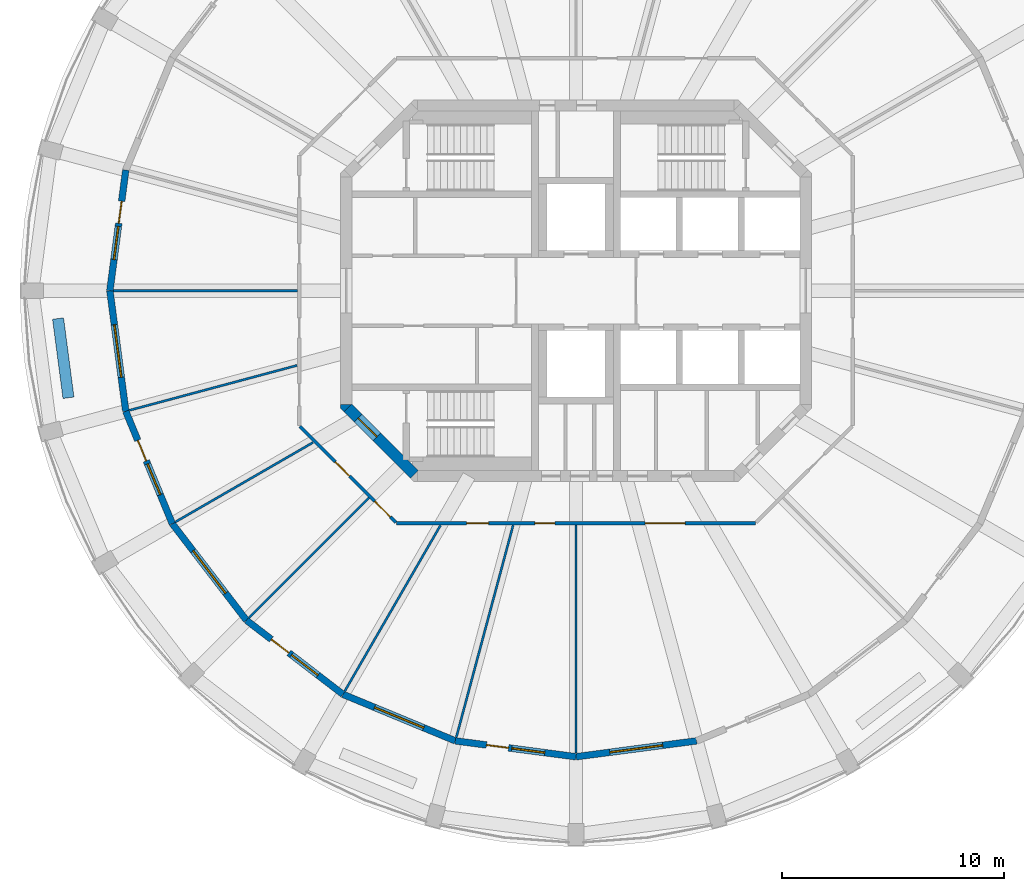
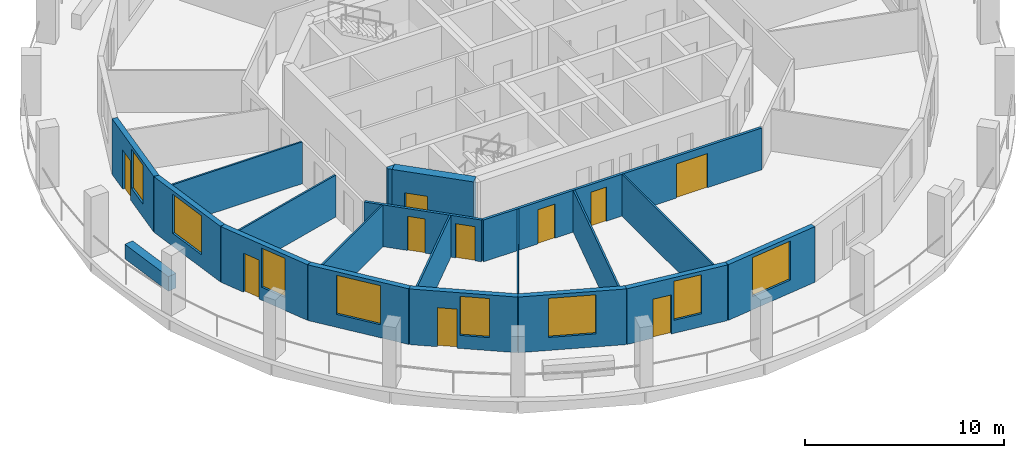
# One storey, part 2 of 9: 20 walls, 10 doors, 8 windows, 18 openings.
"""IFC4 building model written with IfcOpenShell, lengths in metres."""

from ifc_helpers import new_model, si_unit, direction, frame, frame_2d, origin, place, context, subcontext, project, spatial, polyline, rectangle, outline, extrude, material, layer, layer_set, type_object, element, fill, save


model = new_model("IFC4")

# Units and contexts
model_context = context("Model", 3, precision=1e-05, world=origin(), true_north=direction((0.0, 1.0)))
body_context = subcontext(model_context, "Body", "Model", "MODEL_VIEW")
ifc_project = project(units=[si_unit("LENGTHUNIT", "METRE"), si_unit("AREAUNIT", "SQUARE_METRE"), si_unit("VOLUMEUNIT", "CUBIC_METRE"), si_unit("PLANEANGLEUNIT", "RADIAN"), si_unit("MASSUNIT", "GRAM", prefix="KILO")], contexts=[model_context])

# Site, building, storey
site_placement = place(None, origin())
site = spatial("IfcSite", under=ifc_project, at=site_placement, CompositionType="ELEMENT")
building_placement = place(site_placement, origin())
building = spatial("IfcBuilding", under=site, at=building_placement, Name="Torre Triforio", CompositionType="ELEMENT")
storey_placement = place(building_placement, frame((0.0, 0.0, 264.89990234375)))
storey = spatial("IfcBuildingStorey", under=building, at=storey_placement, Name="L61", CompositionType="ELEMENT", Elevation=264.89990234375)

# Wall, opening, door
ifc_material_1 = material(Name="Concrete C40", Category="concrete")
ifc_layer_1 = layer(ifc_material_1, 0.5)
ifc_layer_set_1 = layer_set([ifc_layer_1], Name="Concrete C40")
wall_type_1 = type_object("IfcWallType", Name="Core wall 500 mm C40 EI 120", PredefinedType="SHEAR", material=ifc_layer_set_1)
wall_1_placement = place(storey_placement, frame((-7.27685546875, -8.27685546875, -0.27978515625), z_axis=(0.0, 0.0, 1.0), x_axis=(-0.707106781187, 0.707106781187, 0.0)))
wall_1 = element("IfcWall", 1, at=wall_1_placement, inside=storey, type_object=wall_type_1, Name="Core wall", PredefinedType="SHEAR", context=body_context, shape_type="SweptSolid", body=[
    extrude(rectangle(XDim=4.24267578125, YDim=0.5, at=frame_2d((2.121337890625, 0.0))), origin(), (0.0, 0.0, 1.0), 3.699951171875),
])
opening_1_placement = place(wall_1_placement, frame((2.392578125, 0.0, 0.280029296875)))
opening_1 = element("IfcOpeningElement", 2, at=opening_1_placement, cuts=wall_1, Name="Opening ST3-EXIT", PredefinedType="OPENING", context=body_context, shape_type="SweptSolid", body=[
    extrude(rectangle(XDim=1.199951171875, YDim=2.10009765625, at=frame_2d((0.60009765625, 1.050048828125))), frame((0.0, 0.260009765625, 0.0), z_axis=(0.0, -1.0, 0.0), x_axis=(1.0, 0.0, 0.0)), (0.0, 0.0, 1.0), 0.52001953125),
])
ifc_material_2 = material(Name="Hollow metal fire door leaf")
door_type_1 = type_object("IfcDoorType", Name="Stair lobby door 1200 x 2100 EI 60", OperationType="NOTDEFINED", PredefinedType="DOOR", material=ifc_material_2)
door_1_placement = place(opening_1_placement, origin())
door_1 = element("IfcDoor", 3, at=door_1_placement, inside=storey, type_object=door_type_1, Name="Core door ST3-EXIT", OperationType="SINGLE_SWING_RIGHT", OverallHeight=2.10009765625, OverallWidth=1.199951171875, PredefinedType="DOOR", context=body_context, shape_type="SweptSolid", body=[
    extrude(rectangle(XDim=1.199951171875, YDim=2.10009765625, at=frame_2d((0.60009765625, 1.050048828125))), frame((0.0, 0.02490234375, 0.0), z_axis=(0.0, -1.0, 0.0), x_axis=(1.0, 0.0, 0.0)), (0.0, 0.0, 1.0), 0.050048828125),
])
fill(opening_1, door_1)

# Wall
wall_2_placement = place(storey_placement, frame((0.0, 0.0, -0.27978515625)))
element("IfcWall", 4, at=wall_2_placement, inside=storey, type_object=wall_type_1, Name="Core wall", PredefinedType="SHEAR", context=body_context, shape_type="SweptSolid", body=[
    extrude(outline(polyline([(-10.60009765625, -5.30712890625), (-10.60009765625, -5.1298828125), (-10.1298828125, -5.1298828125), (-10.45361328125, -5.45361328125), (-10.60009765625, -5.30712890625)])), origin(), (0.0, 0.0, 1.0), 3.699951171875),
])

# Wall, openings, doors
ifc_material_3 = material(Name="Plasterboard on metal studs")
ifc_layer_2 = layer(ifc_material_3, 0.14990234375)
ifc_layer_set_2 = layer_set([ifc_layer_2], Name="Plasterboard on metal studs")
wall_type_2 = type_object("IfcWallType", Name="Corridor and tenancy wall 150 mm EI 60", PredefinedType="PARTITIONING", material=ifc_layer_set_2)
wall_3_placement = place(storey_placement, frame((8.083740234375, -10.47509765625, 0.0), z_axis=(0.0, 0.0, 1.0), x_axis=(-1.0, 0.0, 0.0)))
wall_3 = element("IfcWall", 5, at=wall_3_placement, inside=storey, type_object=wall_type_2, Name="Partition 2", PredefinedType="PARTITIONING", context=body_context, shape_type="SweptSolid", body=[
    extrude(rectangle(XDim=16.16748046875, YDim=0.14990234375, at=frame_2d((8.083740234375, 0.0))), origin(), (0.0, 0.0, 1.0), 2.570068359375),
])
opening_2_placement = place(wall_3_placement, frame((12.014892578125, 0.0, 0.0)))
opening_2 = element("IfcOpeningElement", 6, at=opening_2_placement, cuts=wall_3, Name="Opening E2-02", PredefinedType="OPENING", context=body_context, shape_type="SweptSolid", body=[
    extrude(rectangle(XDim=1.0, YDim=2.10009765625, at=frame_2d((0.5, 1.050048828125))), frame((0.0, 0.0849609375, 0.0), z_axis=(0.0, -1.0, 0.0), x_axis=(1.0, 0.0, 0.0)), (0.0, 0.0, 1.0), 0.169921875),
])
opening_3_placement = place(wall_3_placement, frame((9.0380859375, 0.0, 0.0)))
opening_3 = element("IfcOpeningElement", 7, at=opening_3_placement, cuts=wall_3, Name="Opening E2-03", PredefinedType="OPENING", context=body_context, shape_type="SweptSolid", body=[
    extrude(rectangle(XDim=0.89990234375, YDim=2.10009765625, at=frame_2d((0.449951171875, 1.050048828125))), frame((0.0, 0.0849609375, 0.0), z_axis=(0.0, -1.0, 0.0), x_axis=(1.0, 0.0, 0.0)), (0.0, 0.0, 1.0), 0.169921875),
])
opening_4_placement = place(wall_3_placement, frame((3.1669921875, 0.0, 0.0)))
opening_4 = element("IfcOpeningElement", 8, at=opening_4_placement, cuts=wall_3, Name="Opening E2-04", PredefinedType="OPENING", context=body_context, shape_type="SweptSolid", body=[
    extrude(rectangle(XDim=1.800048828125, YDim=2.10009765625, at=frame_2d((0.89990234375, 1.050048828125))), frame((0.0, 0.0849609375, 0.0), z_axis=(0.0, -1.0, 0.0), x_axis=(1.0, 0.0, 0.0)), (0.0, 0.0, 1.0), 0.169921875),
])
ifc_material_4 = material(Name="Timber", Category="wood")
door_type_2 = type_object("IfcDoorType", Name="Door 1000 x 2100 single leaf EI 30", OperationType="NOTDEFINED", PredefinedType="DOOR", material=ifc_material_4)
door_2_placement = place(opening_2_placement, origin())
door_2 = element("IfcDoor", 9, at=door_2_placement, inside=storey, type_object=door_type_2, Name="Door E2-02", OperationType="SINGLE_SWING_LEFT", OverallHeight=2.10009765625, OverallWidth=1.0, PredefinedType="DOOR", context=body_context, shape_type="SweptSolid", body=[
    extrude(rectangle(XDim=1.0, YDim=2.10009765625, at=frame_2d((0.5, 1.050048828125))), frame((0.0, 0.02490234375, 0.0), z_axis=(0.0, -1.0, 0.0), x_axis=(1.0, 0.0, 0.0)), (0.0, 0.0, 1.0), 0.050048828125),
])
fill(opening_2, door_2)
door_type_3 = type_object("IfcDoorType", Name="Door 1800 x 2100 double leaf EI 30", OperationType="DOUBLE_DOOR_SINGLE_SWING", PredefinedType="DOOR", material=ifc_material_4)
door_3_placement = place(opening_4_placement, origin())
door_3 = element("IfcDoor", 10, at=door_3_placement, inside=storey, type_object=door_type_3, Name="Door E2-04", OperationType="DOUBLE_DOOR_SINGLE_SWING", OverallHeight=2.10009765625, OverallWidth=1.800048828125, PredefinedType="DOOR", context=body_context, shape_type="SweptSolid", body=[
    extrude(rectangle(XDim=1.800048828125, YDim=2.10009765625, at=frame_2d((0.89990234375, 1.050048828125))), frame((0.0, 0.02490234375, 0.0), z_axis=(0.0, -1.0, 0.0), x_axis=(1.0, 0.0, 0.0)), (0.0, 0.0, 1.0), 0.050048828125),
])
fill(opening_4, door_3)
door_type_4 = type_object("IfcDoorType", Name="Door 900 x 2100 single leaf EI 30", OperationType="NOTDEFINED", PredefinedType="DOOR", material=ifc_material_4)
door_4_placement = place(opening_3_placement, origin())
door_4 = element("IfcDoor", 11, at=door_4_placement, inside=storey, type_object=door_type_4, Name="Door E2-03", OperationType="SINGLE_SWING_LEFT", OverallHeight=2.10009765625, OverallWidth=0.89990234375, PredefinedType="DOOR", context=body_context, shape_type="SweptSolid", body=[
    extrude(rectangle(XDim=0.89990234375, YDim=2.10009765625, at=frame_2d((0.449951171875, 1.050048828125))), frame((0.0, 0.02490234375, 0.0), z_axis=(0.0, -1.0, 0.0), x_axis=(1.0, 0.0, 0.0)), (0.0, 0.0, 1.0), 0.050048828125),
])
fill(opening_3, door_4)

wall_4_placement = place(storey_placement, frame((-8.120849609375, -10.43798828125, 0.0), z_axis=(0.0, 0.0, 1.0), x_axis=(-0.707106781187, 0.707106781187, 0.0)))
wall_4 = element("IfcWall", 12, at=wall_4_placement, inside=storey, type_object=wall_type_2, Name="Partition 3", PredefinedType="PARTITIONING", context=body_context, shape_type="SweptSolid", body=[
    extrude(rectangle(XDim=6.10546875, YDim=0.14990234375, at=frame_2d((3.052734375, 0.0))), origin(), (0.0, 0.0, 1.0), 2.570068359375),
])
opening_5_placement = place(wall_4_placement, frame((0.34423828125, 0.0, 0.0)))
opening_5 = element("IfcOpeningElement", 13, at=opening_5_placement, cuts=wall_4, Name="Opening E2-01", PredefinedType="OPENING", context=body_context, shape_type="SweptSolid", body=[
    extrude(rectangle(XDim=1.0, YDim=2.10009765625, at=frame_2d((0.5, 1.050048828125))), frame((0.0, 0.0849609375, 0.0), z_axis=(0.0, -1.0, 0.0), x_axis=(1.0, 0.0, 0.0)), (0.0, 0.0, 1.0), 0.169921875),
])
opening_6_placement = place(wall_4_placement, frame((2.947509765625, 0.0, 0.0)))
opening_6 = element("IfcOpeningElement", 14, at=opening_6_placement, cuts=wall_4, Name="Opening E2-17", PredefinedType="OPENING", context=body_context, shape_type="SweptSolid", body=[
    extrude(rectangle(XDim=0.89990234375, YDim=2.10009765625, at=frame_2d((0.449951171875, 1.050048828125))), frame((0.0, 0.0849609375, 0.0), z_axis=(0.0, -1.0, 0.0), x_axis=(1.0, 0.0, 0.0)), (0.0, 0.0, 1.0), 0.169921875),
])
door_5_placement = place(opening_5_placement, origin())
door_5 = element("IfcDoor", 15, at=door_5_placement, inside=storey, type_object=door_type_2, Name="Door E2-01", OperationType="SINGLE_SWING_LEFT", OverallHeight=2.10009765625, OverallWidth=1.0, PredefinedType="DOOR", context=body_context, shape_type="SweptSolid", body=[
    extrude(rectangle(XDim=1.0, YDim=2.10009765625, at=frame_2d((0.5, 1.050048828125))), frame((0.0, 0.02490234375, 0.0), z_axis=(0.0, -1.0, 0.0), x_axis=(1.0, 0.0, 0.0)), (0.0, 0.0, 1.0), 0.050048828125),
])
fill(opening_5, door_5)
door_6_placement = place(opening_6_placement, origin())
door_6 = element("IfcDoor", 16, at=door_6_placement, inside=storey, type_object=door_type_4, Name="Door E2-17", OperationType="SINGLE_SWING_LEFT", OverallHeight=2.10009765625, OverallWidth=0.89990234375, PredefinedType="DOOR", context=body_context, shape_type="SweptSolid", body=[
    extrude(rectangle(XDim=0.89990234375, YDim=2.10009765625, at=frame_2d((0.449951171875, 1.050048828125))), frame((0.0, 0.02490234375, 0.0), z_axis=(0.0, -1.0, 0.0), x_axis=(1.0, 0.0, 0.0)), (0.0, 0.0, 1.0), 0.050048828125),
])
fill(opening_6, door_6)

# Walls
ifc_layer_3 = layer(ifc_material_3, 0.10009765625)
ifc_layer_set_3 = layer_set([ifc_layer_3], Name="Plasterboard on metal studs")
wall_type_3 = type_object("IfcWallType", Name="Partition 100 mm board on metal studs", PredefinedType="PARTITIONING", material=ifc_layer_set_3)
wall_5_placement = place(storey_placement, frame((-12.550048828125, 0.0, 0.0), z_axis=(0.0, 0.0, 1.0), x_axis=(-1.0, 0.0, 0.0)))
element("IfcWall", 17, at=wall_5_placement, inside=storey, type_object=wall_type_3, Name="Partition 17", PredefinedType="PARTITIONING", context=body_context, shape_type="SweptSolid", body=[
    extrude(rectangle(XDim=8.28662109375, YDim=0.10009765625, at=frame_2d((4.143310546875, 0.0))), origin(), (0.0, 0.0, 1.0), 2.570068359375),
])
wall_6_placement = place(storey_placement, frame((-12.564208984375, -3.36669921875, 0.0), z_axis=(0.0, 0.0, 1.0), x_axis=(-0.965933576344, -0.258790119773, 0.0)))
element("IfcWall", 18, at=wall_6_placement, inside=storey, type_object=wall_type_3, Name="Partition 18", PredefinedType="PARTITIONING", context=body_context, shape_type="SweptSolid", body=[
    extrude(rectangle(XDim=7.8291015625, YDim=0.10009765625, at=frame_2d((3.91455078125, 0.0))), origin(), (0.0, 0.0, 1.0), 2.570068359375),
])
wall_7_placement = place(storey_placement, frame((-11.845947265625, -6.839111328125, 0.0), z_axis=(0.0, 0.0, 1.0), x_axis=(-0.866011787705, -0.500023583, 0.0)))
element("IfcWall", 19, at=wall_7_placement, inside=storey, type_object=wall_type_3, Name="Partition 19", PredefinedType="PARTITIONING", context=body_context, shape_type="SweptSolid", body=[
    extrude(rectangle(XDim=7.158447265625, YDim=0.10009765625, at=frame_2d((3.5791015625, 0.0))), origin(), (0.0, 0.0, 1.0), 2.570068359375),
])
wall_8_placement = place(storey_placement, frame((-9.33251953125, -9.33251953125, 0.0), z_axis=(0.0, 0.0, 1.0), x_axis=(-0.707106781187, -0.707106781187, 0.0)))
element("IfcWall", 20, at=wall_8_placement, inside=storey, type_object=wall_type_3, Name="Partition 20", PredefinedType="PARTITIONING", context=body_context, shape_type="SweptSolid", body=[
    extrude(rectangle(XDim=7.638671875, YDim=0.10009765625, at=frame_2d((3.8193359375, 0.0))), origin(), (0.0, 0.0, 1.0), 2.570068359375),
])
wall_9_placement = place(storey_placement, frame((-6.105224609375, -10.57470703125, 0.0), z_axis=(0.0, 0.0, 1.0), x_axis=(-0.50001399067, -0.866017326117, 0.0)))
element("IfcWall", 21, at=wall_9_placement, inside=storey, type_object=wall_type_3, Name="Partition 21", PredefinedType="PARTITIONING", context=body_context, shape_type="SweptSolid", body=[
    extrude(rectangle(XDim=8.626220703125, YDim=0.10009765625, at=frame_2d((4.31298828125, 0.0))), origin(), (0.0, 0.0, 1.0), 2.570068359375),
])
wall_10_placement = place(storey_placement, frame((-2.830810546875, -10.564208984375, 0.0), z_axis=(0.0, 0.0, 1.0), x_axis=(-0.258795254151, -0.965932200741, 0.0)))
element("IfcWall", 22, at=wall_10_placement, inside=storey, type_object=wall_type_3, Name="Partition 22", PredefinedType="PARTITIONING", context=body_context, shape_type="SweptSolid", body=[
    extrude(rectangle(XDim=9.899658203125, YDim=0.10009765625, at=frame_2d((4.94970703125, 0.0))), origin(), (0.0, 0.0, 1.0), 2.570068359375),
])
wall_11_placement = place(storey_placement, frame((0.0, -10.550048828125, 0.0), z_axis=(0.0, 0.0, 1.0), x_axis=(0.0, -1.0, 0.0)))
element("IfcWall", 23, at=wall_11_placement, inside=storey, type_object=wall_type_3, Name="Partition 23", PredefinedType="PARTITIONING", context=body_context, shape_type="SweptSolid", body=[
    extrude(rectangle(XDim=10.28662109375, YDim=0.10009765625, at=frame_2d((5.143310546875, 0.0))), origin(), (0.0, 0.0, 1.0), 2.570068359375),
])
ifc_material_5 = material(Name="Limestone cladding", Category="masonry")
ifc_layer_4 = layer(ifc_material_5, 0.10009765625)
ifc_layer_5 = layer(ifc_material_1, 0.39990234375)
ifc_layer_set_4 = layer_set([ifc_layer_4, ifc_layer_5], Name="Limestone cladding / Concrete C40")
wall_type_4 = type_object("IfcWallType", Name="Planter wall 500", PredefinedType="PARAPET", material=ifc_layer_set_4)
wall_12_placement = place(storey_placement, frame((-23.335693359375, -1.256591796875, 0.0), z_axis=(0.0, 0.0, 1.0), x_axis=(0.130542222659, -0.991442750795, 0.0)))
element("IfcWall", 24, at=wall_12_placement, inside=storey, type_object=wall_type_4, Name="Planter L61 bay 13", PredefinedType="PARAPET", context=body_context, shape_type="SweptSolid", body=[
    extrude(rectangle(XDim=3.60009765625, YDim=0.5, at=frame_2d((1.800048828125, 0.0))), origin(), (0.0, 0.0, 1.0), 0.900146484375),
])

# Wall, openings, door, window
ifc_layer_6 = layer(ifc_material_5, 0.10009765625)
ifc_layer_7 = layer(ifc_material_1, 0.199951171875)
ifc_layer_set_5 = layer_set([ifc_layer_6, ifc_layer_7], Name="Limestone cladding / Concrete C40")
wall_type_5 = type_object("IfcWallType", Name="Stone-faced composite wall 300", PredefinedType="STANDARD", material=ifc_layer_set_5)
wall_13_placement = place(storey_placement, frame((-20.284423828125, 5.435302734375, 0.0), z_axis=(0.0, 0.0, 1.0), x_axis=(-0.130527087244, -0.991444743541, 0.0)))
wall_13 = element("IfcWall", 25, at=wall_13_placement, inside=storey, type_object=wall_type_5, Name="External wall L61 bay 12", PredefinedType="STANDARD", context=body_context, shape_type="SweptSolid", body=[
    extrude(rectangle(XDim=5.482177734375, YDim=0.300048828125, at=frame_2d((2.7412109375, 0.0))), origin(), (0.0, 0.0, 1.0), 3.420166015625),
])
opening_7_placement = place(wall_13_placement, frame((1.416015625, 0.0, 0.0)))
opening_7 = element("IfcOpeningElement", 26, at=opening_7_placement, cuts=wall_13, Name="Opening E2-D12", PredefinedType="OPENING", context=body_context, shape_type="SweptSolid", body=[
    extrude(rectangle(XDim=1.0, YDim=2.39990234375, at=frame_2d((0.5, 1.199951171875))), frame((0.0, 0.159912109375, 0.0), z_axis=(0.0, -1.0, 0.0), x_axis=(1.0, 0.0, 0.0)), (0.0, 0.0, 1.0), 0.320068359375),
])
opening_8_placement = place(wall_13_placement, frame((2.566162109375, 0.0, 0.800048828125)))
opening_8 = element("IfcOpeningElement", 27, at=opening_8_placement, cuts=wall_13, Name="Opening E2-W12A", PredefinedType="OPENING", context=body_context, shape_type="SweptSolid", body=[
    extrude(rectangle(XDim=1.5, YDim=2.39990234375, at=frame_2d((0.75, 1.199951171875))), frame((0.0, 0.159912109375, 0.0), z_axis=(0.0, -1.0, 0.0), x_axis=(1.0, 0.0, 0.0)), (0.0, 0.0, 1.0), 0.320068359375),
])
ifc_material_6 = material(Name="Aluminium frame with clear double glazing", Category="aluminium")
door_type_5 = type_object("IfcDoorType", Name="Loggia door 1000 x 2400", OperationType="NOTDEFINED", PredefinedType="DOOR", material=ifc_material_6)
door_7_placement = place(opening_7_placement, origin())
door_7 = element("IfcDoor", 28, at=door_7_placement, inside=storey, type_object=door_type_5, Name="Loggia door L61 bay 12", OperationType="SINGLE_SWING_LEFT", OverallHeight=2.39990234375, OverallWidth=1.0, PredefinedType="DOOR", context=body_context, shape_type="SweptSolid", body=[
    extrude(rectangle(XDim=1.0, YDim=2.39990234375, at=frame_2d((0.5, 1.199951171875))), frame((0.0, 0.02490234375, 0.0), z_axis=(0.0, -1.0, 0.0), x_axis=(1.0, 0.0, 0.0)), (0.0, 0.0, 1.0), 0.050048828125),
])
fill(opening_7, door_7)
window_type_1 = type_object("IfcWindowType", Name="Side window 1500 x 2400", PartitioningType="SINGLE_PANEL", PredefinedType="WINDOW", material=ifc_material_6)
window_1_placement = place(opening_8_placement, origin())
window_1 = element("IfcWindow", 29, at=window_1_placement, inside=storey, type_object=window_type_1, Name="Side window EWN14 L61 bay 12", OverallHeight=2.39990234375, OverallWidth=1.5, PartitioningType="SINGLE_PANEL", PredefinedType="WINDOW", context=body_context, shape_type="SweptSolid", body=[
    extrude(rectangle(XDim=1.5, YDim=2.39990234375, at=frame_2d((0.75, 1.199951171875))), frame((0.0, 0.030029296875, 0.0), z_axis=(0.0, -1.0, 0.0), x_axis=(1.0, 0.0, 0.0)), (0.0, 0.0, 1.0), 0.06005859375),
])
fill(opening_8, window_1)

# Wall, opening, window
wall_14_placement = place(storey_placement, frame((-21.0, 0.0, 0.0), z_axis=(0.0, 0.0, 1.0), x_axis=(0.130527087244, -0.991444743541, 0.0)))
wall_14 = element("IfcWall", 30, at=wall_14_placement, inside=storey, type_object=wall_type_5, Name="External wall L61 bay 13", PredefinedType="STANDARD", context=body_context, shape_type="SweptSolid", body=[
    extrude(rectangle(XDim=5.482177734375, YDim=0.300048828125, at=frame_2d((2.7412109375, 0.0))), origin(), (0.0, 0.0, 1.0), 3.420166015625),
])
opening_9_placement = place(wall_14_placement, frame((1.541015625, 0.0, 0.800048828125)))
opening_9 = element("IfcOpeningElement", 31, at=opening_9_placement, cuts=wall_14, Name="Opening E2-W13", PredefinedType="OPENING", context=body_context, shape_type="SweptSolid", body=[
    extrude(rectangle(XDim=2.39990234375, YDim=2.39990234375, at=frame_2d((1.199951171875, 1.199951171875))), frame((0.0, 0.159912109375, 0.0), z_axis=(0.0, -1.0, 0.0), x_axis=(1.0, 0.0, 0.0)), (0.0, 0.0, 1.0), 0.320068359375),
])
window_type_2 = type_object("IfcWindowType", Name="Punched window 2400 x 2400", PartitioningType="DOUBLE_PANEL_VERTICAL", PredefinedType="WINDOW", material=ifc_material_6)
window_2_placement = place(opening_9_placement, origin())
window_2 = element("IfcWindow", 32, at=window_2_placement, inside=storey, type_object=window_type_2, Name="Window EWN4 L61 bay 13", OverallHeight=2.39990234375, OverallWidth=2.39990234375, PartitioningType="SINGLE_PANEL", PredefinedType="WINDOW", context=body_context, shape_type="SweptSolid", body=[
    extrude(rectangle(XDim=2.39990234375, YDim=2.39990234375, at=frame_2d((1.199951171875, 1.199951171875))), frame((0.0, 0.030029296875, 0.0), z_axis=(0.0, -1.0, 0.0), x_axis=(1.0, 0.0, 0.0)), (0.0, 0.0, 1.0), 0.06005859375),
])
fill(opening_9, window_2)

# Wall, openings, door, window
wall_15_placement = place(storey_placement, frame((-20.284423828125, -5.435302734375, 0.0), z_axis=(0.0, 0.0, 1.0), x_axis=(0.382688740813, -0.923877333662, 0.0)))
wall_15 = element("IfcWall", 33, at=wall_15_placement, inside=storey, type_object=wall_type_5, Name="External wall L61 bay 14", PredefinedType="STANDARD", context=body_context, shape_type="SweptSolid", body=[
    extrude(rectangle(XDim=5.48193359375, YDim=0.300048828125, at=frame_2d((2.740966796875, 0.0))), origin(), (0.0, 0.0, 1.0), 3.420166015625),
])
opening_10_placement = place(wall_15_placement, frame((1.416015625, 0.0, 0.0)))
opening_10 = element("IfcOpeningElement", 34, at=opening_10_placement, cuts=wall_15, Name="Opening E2-D14", PredefinedType="OPENING", context=body_context, shape_type="SweptSolid", body=[
    extrude(rectangle(XDim=1.0, YDim=2.39990234375, at=frame_2d((0.5, 1.199951171875))), frame((0.0, 0.159912109375, 0.0), z_axis=(0.0, -1.0, 0.0), x_axis=(1.0, 0.0, 0.0)), (0.0, 0.0, 1.0), 0.320068359375),
])
opening_11_placement = place(wall_15_placement, frame((2.566162109375, 0.0, 0.800048828125)))
opening_11 = element("IfcOpeningElement", 35, at=opening_11_placement, cuts=wall_15, Name="Opening E2-W14A", PredefinedType="OPENING", context=body_context, shape_type="SweptSolid", body=[
    extrude(rectangle(XDim=1.5, YDim=2.39990234375, at=frame_2d((0.75, 1.199951171875))), frame((0.0, 0.159912109375, 0.0), z_axis=(0.0, -1.0, 0.0), x_axis=(1.0, 0.0, 0.0)), (0.0, 0.0, 1.0), 0.320068359375),
])
door_8_placement = place(opening_10_placement, origin())
door_8 = element("IfcDoor", 36, at=door_8_placement, inside=storey, type_object=door_type_5, Name="Loggia door L61 bay 14", OperationType="SINGLE_SWING_LEFT", OverallHeight=2.39990234375, OverallWidth=1.0, PredefinedType="DOOR", context=body_context, shape_type="SweptSolid", body=[
    extrude(rectangle(XDim=1.0, YDim=2.39990234375, at=frame_2d((0.5, 1.199951171875))), frame((0.0, 0.02490234375, 0.0), z_axis=(0.0, -1.0, 0.0), x_axis=(1.0, 0.0, 0.0)), (0.0, 0.0, 1.0), 0.050048828125),
])
fill(opening_10, door_8)
window_3_placement = place(opening_11_placement, origin())
window_3 = element("IfcWindow", 37, at=window_3_placement, inside=storey, type_object=window_type_1, Name="Side window EWN14 L61 bay 14", OverallHeight=2.39990234375, OverallWidth=1.5, PartitioningType="SINGLE_PANEL", PredefinedType="WINDOW", context=body_context, shape_type="SweptSolid", body=[
    extrude(rectangle(XDim=1.5, YDim=2.39990234375, at=frame_2d((0.75, 1.199951171875))), frame((0.0, 0.030029296875, 0.0), z_axis=(0.0, -1.0, 0.0), x_axis=(1.0, 0.0, 0.0)), (0.0, 0.0, 1.0), 0.06005859375),
])
fill(opening_11, window_3)

# Wall, opening, window
wall_16_placement = place(storey_placement, frame((-18.1865234375, -10.5, 0.0), z_axis=(0.0, 0.0, 1.0), x_axis=(0.608784891166, -0.793335336593, 0.0)))
wall_16 = element("IfcWall", 38, at=wall_16_placement, inside=storey, type_object=wall_type_5, Name="External wall L61 bay 15", PredefinedType="STANDARD", context=body_context, shape_type="SweptSolid", body=[
    extrude(rectangle(XDim=5.482177734375, YDim=0.300048828125, at=frame_2d((2.7412109375, 0.0))), origin(), (0.0, 0.0, 1.0), 3.420166015625),
])
opening_12_placement = place(wall_16_placement, frame((1.541015625, 0.0, 0.800048828125)))
opening_12 = element("IfcOpeningElement", 39, at=opening_12_placement, cuts=wall_16, Name="Opening E2-W15", PredefinedType="OPENING", context=body_context, shape_type="SweptSolid", body=[
    extrude(rectangle(XDim=2.39990234375, YDim=2.39990234375, at=frame_2d((1.199951171875, 1.199951171875))), frame((0.0, 0.159912109375, 0.0), z_axis=(0.0, -1.0, 0.0), x_axis=(1.0, 0.0, 0.0)), (0.0, 0.0, 1.0), 0.320068359375),
])
window_4_placement = place(opening_12_placement, origin())
window_4 = element("IfcWindow", 40, at=window_4_placement, inside=storey, type_object=window_type_2, Name="Window EWN4 L61 bay 15", OverallHeight=2.39990234375, OverallWidth=2.39990234375, PartitioningType="SINGLE_PANEL", PredefinedType="WINDOW", context=body_context, shape_type="SweptSolid", body=[
    extrude(rectangle(XDim=2.39990234375, YDim=2.39990234375, at=frame_2d((1.199951171875, 1.199951171875))), frame((0.0, 0.030029296875, 0.0), z_axis=(0.0, -1.0, 0.0), x_axis=(1.0, 0.0, 0.0)), (0.0, 0.0, 1.0), 0.06005859375),
])
fill(opening_12, window_4)

# Wall, openings, door, window
wall_17_placement = place(storey_placement, frame((-14.84912109375, -14.84912109375, 0.0), z_axis=(0.0, 0.0, 1.0), x_axis=(0.793335336593, -0.608784891166, 0.0)))
wall_17 = element("IfcWall", 41, at=wall_17_placement, inside=storey, type_object=wall_type_5, Name="External wall L61 bay 16", PredefinedType="STANDARD", context=body_context, shape_type="SweptSolid", body=[
    extrude(rectangle(XDim=5.482177734375, YDim=0.300048828125, at=frame_2d((2.7412109375, 0.0))), origin(), (0.0, 0.0, 1.0), 3.420166015625),
])
opening_13_placement = place(wall_17_placement, frame((1.416015625, 0.0, 0.0)))
opening_13 = element("IfcOpeningElement", 42, at=opening_13_placement, cuts=wall_17, Name="Opening E2-D16", PredefinedType="OPENING", context=body_context, shape_type="SweptSolid", body=[
    extrude(rectangle(XDim=1.0, YDim=2.39990234375, at=frame_2d((0.5, 1.199951171875))), frame((0.0, 0.159912109375, 0.0), z_axis=(0.0, -1.0, 0.0), x_axis=(1.0, 0.0, 0.0)), (0.0, 0.0, 1.0), 0.320068359375),
])
opening_14_placement = place(wall_17_placement, frame((2.56591796875, 0.0, 0.800048828125)))
opening_14 = element("IfcOpeningElement", 43, at=opening_14_placement, cuts=wall_17, Name="Opening E2-W16A", PredefinedType="OPENING", context=body_context, shape_type="SweptSolid", body=[
    extrude(rectangle(XDim=1.5, YDim=2.39990234375, at=frame_2d((0.75, 1.199951171875))), frame((0.0, 0.159912109375, 0.0), z_axis=(0.0, -1.0, 0.0), x_axis=(1.0, 0.0, 0.0)), (0.0, 0.0, 1.0), 0.320068359375),
])
door_9_placement = place(opening_13_placement, origin())
door_9 = element("IfcDoor", 44, at=door_9_placement, inside=storey, type_object=door_type_5, Name="Loggia door L61 bay 16", OperationType="SINGLE_SWING_LEFT", OverallHeight=2.39990234375, OverallWidth=1.0, PredefinedType="DOOR", context=body_context, shape_type="SweptSolid", body=[
    extrude(rectangle(XDim=1.0, YDim=2.39990234375, at=frame_2d((0.5, 1.199951171875))), frame((0.0, 0.02490234375, 0.0), z_axis=(0.0, -1.0, 0.0), x_axis=(1.0, 0.0, 0.0)), (0.0, 0.0, 1.0), 0.050048828125),
])
fill(opening_13, door_9)
window_5_placement = place(opening_14_placement, origin())
window_5 = element("IfcWindow", 45, at=window_5_placement, inside=storey, type_object=window_type_1, Name="Side window EWN14 L61 bay 16", OverallHeight=2.39990234375, OverallWidth=1.5, PartitioningType="SINGLE_PANEL", PredefinedType="WINDOW", context=body_context, shape_type="SweptSolid", body=[
    extrude(rectangle(XDim=1.5, YDim=2.39990234375, at=frame_2d((0.75, 1.199951171875))), frame((0.0, 0.030029296875, 0.0), z_axis=(0.0, -1.0, 0.0), x_axis=(1.0, 0.0, 0.0)), (0.0, 0.0, 1.0), 0.06005859375),
])
fill(opening_14, window_5)

# Wall, opening, window
wall_18_placement = place(storey_placement, frame((-10.5, -18.1865234375, 0.0), z_axis=(0.0, 0.0, 1.0), x_axis=(0.923877333662, -0.382688740813, 0.0)))
wall_18 = element("IfcWall", 46, at=wall_18_placement, inside=storey, type_object=wall_type_5, Name="External wall L61 bay 17", PredefinedType="STANDARD", context=body_context, shape_type="SweptSolid", body=[
    extrude(rectangle(XDim=5.48193359375, YDim=0.300048828125, at=frame_2d((2.740966796875, 0.0))), origin(), (0.0, 0.0, 1.0), 3.420166015625),
])
opening_15_placement = place(wall_18_placement, frame((1.541015625, 0.0, 0.800048828125)))
opening_15 = element("IfcOpeningElement", 47, at=opening_15_placement, cuts=wall_18, Name="Opening E2-W17", PredefinedType="OPENING", context=body_context, shape_type="SweptSolid", body=[
    extrude(rectangle(XDim=2.39990234375, YDim=2.39990234375, at=frame_2d((1.199951171875, 1.199951171875))), frame((0.0, 0.159912109375, 0.0), z_axis=(0.0, -1.0, 0.0), x_axis=(1.0, 0.0, 0.0)), (0.0, 0.0, 1.0), 0.320068359375),
])
window_6_placement = place(opening_15_placement, origin())
window_6 = element("IfcWindow", 48, at=window_6_placement, inside=storey, type_object=window_type_2, Name="Window EWN4 L61 bay 17", OverallHeight=2.39990234375, OverallWidth=2.39990234375, PartitioningType="SINGLE_PANEL", PredefinedType="WINDOW", context=body_context, shape_type="SweptSolid", body=[
    extrude(rectangle(XDim=2.39990234375, YDim=2.39990234375, at=frame_2d((1.199951171875, 1.199951171875))), frame((0.0, 0.030029296875, 0.0), z_axis=(0.0, -1.0, 0.0), x_axis=(1.0, 0.0, 0.0)), (0.0, 0.0, 1.0), 0.06005859375),
])
fill(opening_15, window_6)

# Wall, openings, door, window
wall_19_placement = place(storey_placement, frame((-5.435302734375, -20.284423828125, 0.0), z_axis=(0.0, 0.0, 1.0), x_axis=(0.991444743541, -0.130527087244, 0.0)))
wall_19 = element("IfcWall", 49, at=wall_19_placement, inside=storey, type_object=wall_type_5, Name="External wall L61 bay 18", PredefinedType="STANDARD", context=body_context, shape_type="SweptSolid", body=[
    extrude(rectangle(XDim=5.482177734375, YDim=0.300048828125, at=frame_2d((2.7412109375, 0.0))), origin(), (0.0, 0.0, 1.0), 3.420166015625),
])
opening_16_placement = place(wall_19_placement, frame((1.416015625, 0.0, 0.0)))
opening_16 = element("IfcOpeningElement", 50, at=opening_16_placement, cuts=wall_19, Name="Opening E2-D18", PredefinedType="OPENING", context=body_context, shape_type="SweptSolid", body=[
    extrude(rectangle(XDim=1.0, YDim=2.39990234375, at=frame_2d((0.5, 1.199951171875))), frame((0.0, 0.159912109375, 0.0), z_axis=(0.0, -1.0, 0.0), x_axis=(1.0, 0.0, 0.0)), (0.0, 0.0, 1.0), 0.320068359375),
])
opening_17_placement = place(wall_19_placement, frame((2.566162109375, 0.0, 0.800048828125)))
opening_17 = element("IfcOpeningElement", 51, at=opening_17_placement, cuts=wall_19, Name="Opening E2-W18A", PredefinedType="OPENING", context=body_context, shape_type="SweptSolid", body=[
    extrude(rectangle(XDim=1.5, YDim=2.39990234375, at=frame_2d((0.75, 1.199951171875))), frame((0.0, 0.159912109375, 0.0), z_axis=(0.0, -1.0, 0.0), x_axis=(1.0, 0.0, 0.0)), (0.0, 0.0, 1.0), 0.320068359375),
])
door_10_placement = place(opening_16_placement, origin())
door_10 = element("IfcDoor", 52, at=door_10_placement, inside=storey, type_object=door_type_5, Name="Loggia door L61 bay 18", OperationType="SINGLE_SWING_LEFT", OverallHeight=2.39990234375, OverallWidth=1.0, PredefinedType="DOOR", context=body_context, shape_type="SweptSolid", body=[
    extrude(rectangle(XDim=1.0, YDim=2.39990234375, at=frame_2d((0.5, 1.199951171875))), frame((0.0, 0.02490234375, 0.0), z_axis=(0.0, -1.0, 0.0), x_axis=(1.0, 0.0, 0.0)), (0.0, 0.0, 1.0), 0.050048828125),
])
fill(opening_16, door_10)
window_7_placement = place(opening_17_placement, origin())
window_7 = element("IfcWindow", 53, at=window_7_placement, inside=storey, type_object=window_type_1, Name="Side window EWN14 L61 bay 18", OverallHeight=2.39990234375, OverallWidth=1.5, PartitioningType="SINGLE_PANEL", PredefinedType="WINDOW", context=body_context, shape_type="SweptSolid", body=[
    extrude(rectangle(XDim=1.5, YDim=2.39990234375, at=frame_2d((0.75, 1.199951171875))), frame((0.0, 0.030029296875, 0.0), z_axis=(0.0, -1.0, 0.0), x_axis=(1.0, 0.0, 0.0)), (0.0, 0.0, 1.0), 0.06005859375),
])
fill(opening_17, window_7)

# Wall, opening, window
wall_20_placement = place(storey_placement, frame((0.0, -21.0, 0.0), z_axis=(0.0, 0.0, 1.0), x_axis=(0.991444743541, 0.130527087244, 0.0)))
wall_20 = element("IfcWall", 54, at=wall_20_placement, inside=storey, type_object=wall_type_5, Name="External wall L61 bay 19", PredefinedType="STANDARD", context=body_context, shape_type="SweptSolid", body=[
    extrude(rectangle(XDim=5.482177734375, YDim=0.300048828125, at=frame_2d((2.7412109375, 0.0))), origin(), (0.0, 0.0, 1.0), 3.420166015625),
])
opening_18_placement = place(wall_20_placement, frame((1.541015625, 0.0, 0.800048828125)))
opening_18 = element("IfcOpeningElement", 55, at=opening_18_placement, cuts=wall_20, Name="Opening E2-W19", PredefinedType="OPENING", context=body_context, shape_type="SweptSolid", body=[
    extrude(rectangle(XDim=2.39990234375, YDim=2.39990234375, at=frame_2d((1.199951171875, 1.199951171875))), frame((0.0, 0.159912109375, 0.0), z_axis=(0.0, -1.0, 0.0), x_axis=(1.0, 0.0, 0.0)), (0.0, 0.0, 1.0), 0.320068359375),
])
window_8_placement = place(opening_18_placement, origin())
window_8 = element("IfcWindow", 56, at=window_8_placement, inside=storey, type_object=window_type_2, Name="Window EWN4 L61 bay 19", OverallHeight=2.39990234375, OverallWidth=2.39990234375, PartitioningType="SINGLE_PANEL", PredefinedType="WINDOW", context=body_context, shape_type="SweptSolid", body=[
    extrude(rectangle(XDim=2.39990234375, YDim=2.39990234375, at=frame_2d((1.199951171875, 1.199951171875))), frame((0.0, 0.030029296875, 0.0), z_axis=(0.0, -1.0, 0.0), x_axis=(1.0, 0.0, 0.0)), (0.0, 0.0, 1.0), 0.06005859375),
])
fill(opening_18, window_8)

save(model, "model.ifc")
